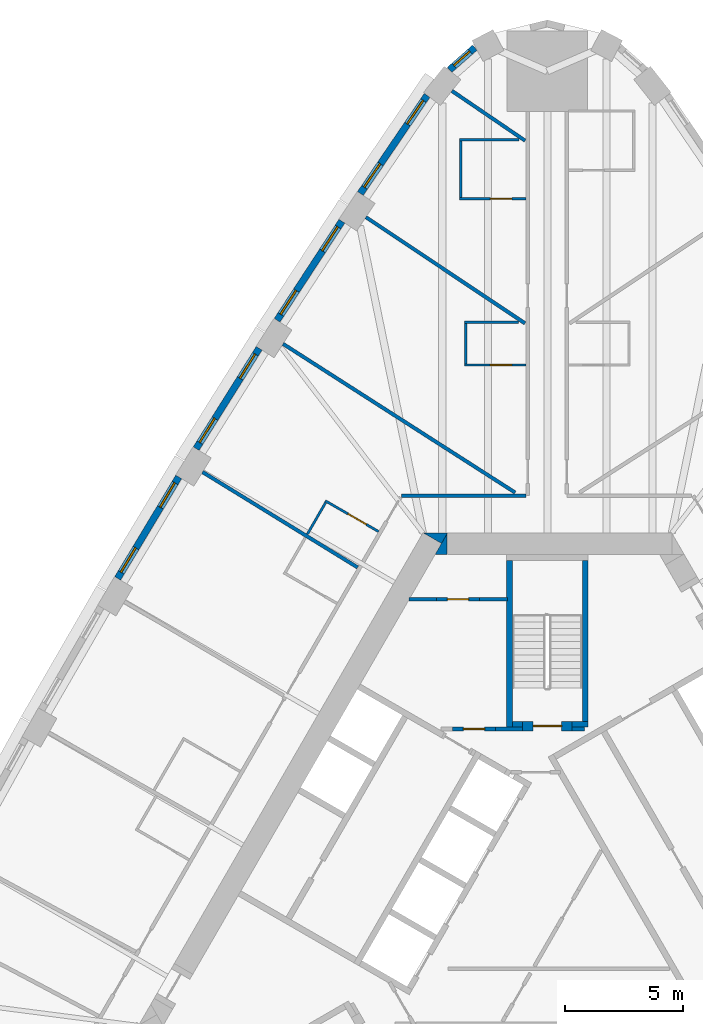
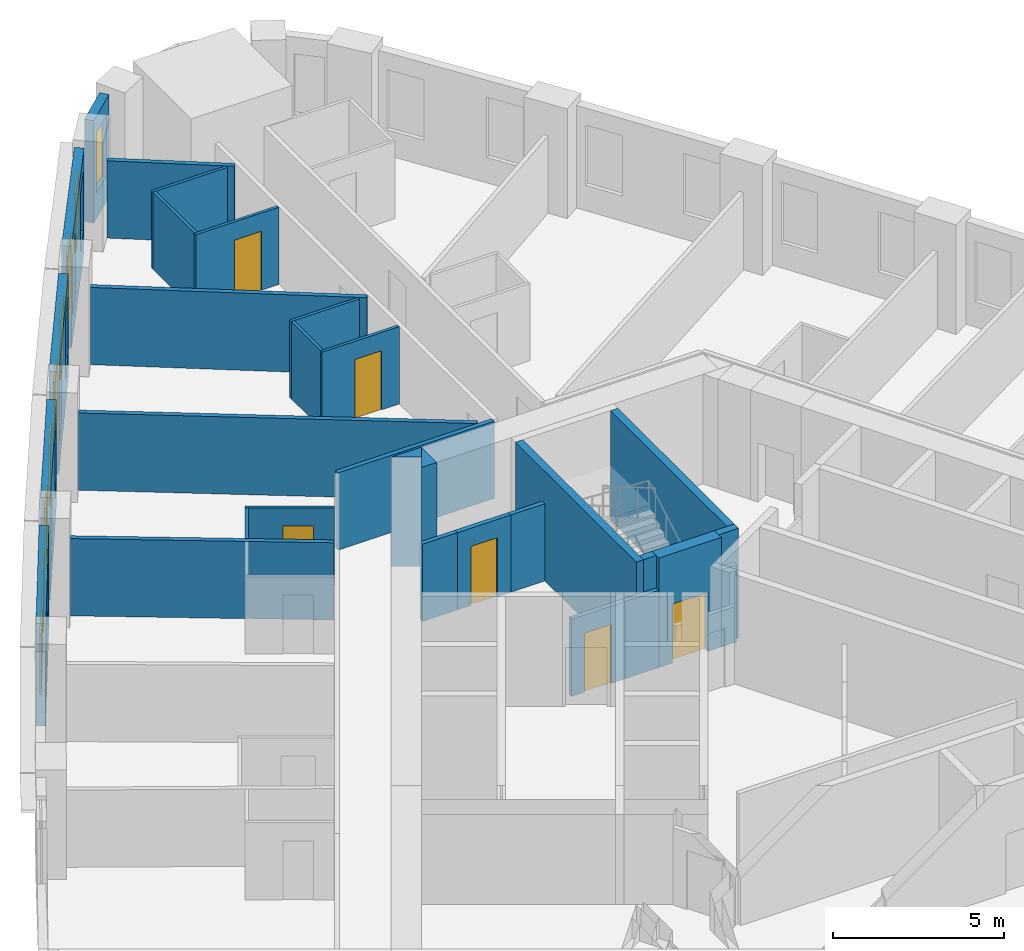
# One storey, part 10 of 13: 31 walls, 9 windows, 6 doors, 15 openings.
"""IFC4 building model written with IfcOpenShell, lengths in metres."""

import ifcopenshell
import ifcopenshell.guid

model = None  # the IFC model being written
_history = None  # IfcOwnerHistory: only IFC2X3 demands one
_inside = {}  # id of a spatial element -> (the spatial element, [elements in it])
_under = {}  # id of a project, library or spatial element -> (it, [spatial elements below it])
_declared = {}  # id of a project -> (the project, [libraries it declares])
_typed = {}  # id of a type object -> (the type object, [elements of that type])
_made_of = {}  # id of a material, layer set ... -> (it, [elements and type objects made of it])


def new_model(schema):
    """Start an empty IFC model of exactly this schema.

    Asked for "IFC4X3", IfcOpenShell would pick the latest addendum, in which some entities
    have other attributes; the version numbers below select the first issue.
    IFC2X3 requires an IfcOwnerHistory on every rooted entity: one is made here for all.
    """
    global model, _history
    if schema == "IFC4X3":
        model = ifcopenshell.file(schema_version=(4, 3, 0, 0))
    else:
        model = ifcopenshell.file(schema=schema)
    _inside.clear()
    _under.clear()
    _declared.clear()
    _typed.clear()
    _made_of.clear()
    _history = None
    if model.schema == "IFC2X3":
        org = make("IfcOrganization", Name="unknown")
        user = make(
            "IfcPersonAndOrganization",
            ThePerson=make("IfcPerson", FamilyName="unknown"),
            TheOrganization=org,
        )
        app = make(
            "IfcApplication",
            ApplicationDeveloper=org,
            Version="unknown",
            ApplicationFullName="unknown",
            ApplicationIdentifier="unknown",
        )
        _history = make(
            "IfcOwnerHistory",
            OwningUser=user,
            OwningApplication=app,
            ChangeAction="ADDED",
            CreationDate=0,
        )
    return model


def make(cls, **values):
    """One entity of the class cls with the attributes given. An attribute that is None is left unset."""
    return model.create_entity(
        cls, **{name: value for name, value in values.items() if value is not None}
    )


def rooted(cls, **values):
    """An entity with a GlobalId (a new one), such as an element, a storey or a relation."""
    return make(cls, GlobalId=ifcopenshell.guid.new(), OwnerHistory=_history, **values)


def si_unit(unit_type, name, prefix=None):
    """IfcSIUnit, for example si_unit("LENGTHUNIT", "METRE", prefix="MILLI")."""
    return make("IfcSIUnit", UnitType=unit_type, Prefix=prefix, Name=name)


def assignment(units):
    """IfcUnitAssignment: the units of a project."""
    return None if units is None else make("IfcUnitAssignment", Units=units)


def point(xyz):
    """IfcCartesianPoint."""
    return None if xyz is None else make("IfcCartesianPoint", Coordinates=xyz)


def direction(xyz):
    """IfcDirection."""
    return None if xyz is None else make("IfcDirection", DirectionRatios=xyz)


def frame(location, z_axis=None, x_axis=None):
    """IfcAxis2Placement3D, a coordinate frame: its origin and axes. An axis left out is left unset."""
    return make(
        "IfcAxis2Placement3D",
        Location=point(location),
        Axis=direction(z_axis),
        RefDirection=direction(x_axis),
    )


def frame_2d(location, x_axis=None):
    """IfcAxis2Placement2D, a coordinate frame in the plane: its origin and x axis."""
    return make(
        "IfcAxis2Placement2D", Location=point(location), RefDirection=direction(x_axis)
    )


def origin():
    """The frame at (0, 0, 0) with its axes left unset."""
    return frame((0.0, 0.0, 0.0))


def place(relative_to, where):
    """IfcLocalPlacement: puts the frame where relative to a parent placement (None: the world)."""
    return make(
        "IfcLocalPlacement", PlacementRelTo=relative_to, RelativePlacement=where
    )


def context(
    kind, dimensions, precision=None, world=None, true_north=None, identifier=None
):
    """IfcGeometricRepresentationContext, for example the 3D "Model" context."""
    return make(
        "IfcGeometricRepresentationContext",
        ContextIdentifier=identifier,
        ContextType=kind,
        CoordinateSpaceDimension=dimensions,
        Precision=precision,
        WorldCoordinateSystem=world,
        TrueNorth=true_north,
    )


def subcontext(parent, identifier, kind, view, scale=None):
    """IfcGeometricRepresentationSubContext, for example "Body" below "Model"."""
    return make(
        "IfcGeometricRepresentationSubContext",
        ContextIdentifier=identifier,
        ContextType=kind,
        ParentContext=parent,
        TargetScale=scale,
        TargetView=view,
    )


def project(units=None, contexts=None):
    """IfcProject with its units and contexts."""
    return rooted(
        "IfcProject",
        Name="project",
        RepresentationContexts=contexts,
        UnitsInContext=assignment(units),
    )


def spatial(cls, under=None, at=None, **own):
    """A site, building, storey or space (cls), placed at a placement, below another one or the project."""
    s = rooted(cls, ObjectPlacement=at, **own)
    if under is not None:
        _under.setdefault(under.id(), (under, []))[1].append(s)
    return s


def polyline(points):
    """IfcPolyline through the points."""
    return make("IfcPolyline", Points=[point(p) for p in points])


def profile(cls, at=None, kind="AREA", **sizes):
    """A parametric profile (cls). Its sizes go by their IFC names, for example OverallWidth=200.0."""
    return make(cls, ProfileType=kind, Position=at, **sizes)


def rectangle(**sizes):
    """IfcRectangleProfileDef."""
    return profile("IfcRectangleProfileDef", **sizes)


def outline(outer, holes=None, kind="AREA"):
    """IfcArbitraryClosedProfileDef: a profile drawn as a closed curve; with holes, ...WithVoids."""
    if holes is None:
        return make("IfcArbitraryClosedProfileDef", ProfileType=kind, OuterCurve=outer)
    return make(
        "IfcArbitraryProfileDefWithVoids",
        ProfileType=kind,
        OuterCurve=outer,
        InnerCurves=holes,
    )


def extrude(swept, where, along, depth):
    """IfcExtrudedAreaSolid: the profile swept, set in the frame where, extruded along a direction by depth."""
    return make(
        "IfcExtrudedAreaSolid",
        SweptArea=swept,
        Position=where,
        ExtrudedDirection=direction(along),
        Depth=depth,
    )


def shape(context_of_items, identifier, shape_type, items):
    """IfcShapeRepresentation: the items that make up one representation, for example the "Body"."""
    return make(
        "IfcShapeRepresentation",
        ContextOfItems=context_of_items,
        RepresentationIdentifier=identifier,
        RepresentationType=shape_type,
        Items=items,
    )


def material(Name=None, Category=None):
    """IfcMaterial."""
    return make("IfcMaterial", Name=Name, Category=Category)


def layer(
    of_material, thickness, ventilated=None, Name=None, Category=None, Priority=None
):
    """IfcMaterialLayer: one layer of a wall or slab, of a material (None: an air gap)."""
    return make(
        "IfcMaterialLayer",
        Material=of_material,
        LayerThickness=thickness,
        IsVentilated=ventilated,
        Name=Name,
        Category=Category,
        Priority=Priority,
    )


def layer_set(layers, Name=None):
    """IfcMaterialLayerSet."""
    return make("IfcMaterialLayerSet", MaterialLayers=layers, LayerSetName=Name)


def made_of(thing, what):
    """Note that an element or type object is made of a material, layer set ...; save() writes the relation."""
    if what is not None:
        _made_of.setdefault(what.id(), (what, []))[1].append(thing)
    return thing


def type_object(cls, material=None, **own):
    """A type object (cls), such as IfcWallType, which elements share."""
    return made_of(rooted(cls, **own), material)


def element(
    cls,
    number,
    at=None,
    inside=None,
    cuts=None,
    type_object=None,
    material=None,
    context=None,
    identifier="Body",
    shape_type=None,
    held_by="IfcProductDefinitionShape",
    body=None,
    shapes=None,
    **own,
):
    """One element of the class cls, such as IfcWall. Its Tag is "e" and its number.

    at: its placement. inside: the storey or other place that contains it. cuts: it is an
    opening in that element (IfcRelVoidsElement). A single representation is given by context,
    identifier, shape_type and body (its items); several are given by shapes. held_by: the class
    of the entity that holds the representations. save() writes the other relations.
    """
    e = rooted(cls, Tag="e%d" % number, ObjectPlacement=at, **own)
    if body is not None:
        shapes = [shape(context, identifier, shape_type, body)]
    if shapes is not None:
        e.Representation = make(held_by, Representations=shapes)
    if inside is not None:
        _inside.setdefault(inside.id(), (inside, []))[1].append(e)
    if cuts is not None:
        rooted(
            "IfcRelVoidsElement", RelatingBuildingElement=cuts, RelatedOpeningElement=e
        )
    if type_object is not None:
        _typed.setdefault(type_object.id(), (type_object, []))[1].append(e)
    return made_of(e, material)


def fill(opening, filler):
    """IfcRelFillsElement: the door or window that sits in an opening."""
    return rooted(
        "IfcRelFillsElement",
        RelatingOpeningElement=opening,
        RelatedBuildingElement=filler,
    )


def aggregate(whole, parts):
    """IfcRelAggregates: a whole, such as a stair, and the parts it consists of."""
    return rooted("IfcRelAggregates", RelatingObject=whole, RelatedObjects=parts)


def save(model, path):
    """Write the relations noted so far, then the file.

    IfcRelAggregates (storeys below a building ...), IfcRelContainedInSpatialStructure (elements
    in a storey), IfcRelDefinesByType, IfcRelAssociatesMaterial and IfcRelDeclares: one each for
    every whole, place, type object, material and project.
    """
    for whole, parts in _under.values():
        aggregate(whole, parts)
    for where, things in _inside.values():
        rooted(
            "IfcRelContainedInSpatialStructure",
            RelatedElements=things,
            RelatingStructure=where,
        )
    for kind, things in _typed.values():
        rooted("IfcRelDefinesByType", RelatedObjects=things, RelatingType=kind)
    for what, things in _made_of.values():
        rooted("IfcRelAssociatesMaterial", RelatedObjects=things, RelatingMaterial=what)
    for by, libraries in _declared.values():
        rooted("IfcRelDeclares", RelatingContext=by, RelatedDefinitions=libraries)
    model.write(path)


model = new_model("IFC4")

# Units and contexts
model_context = context("Model", 3, precision=1e-05, world=origin(), true_north=direction((0.0, 1.0)))
body_context = subcontext(model_context, "Body", "Model", "MODEL_VIEW")
ifc_project = project(units=[si_unit("LENGTHUNIT", "METRE"), si_unit("AREAUNIT", "SQUARE_METRE"), si_unit("VOLUMEUNIT", "CUBIC_METRE"), si_unit("PLANEANGLEUNIT", "RADIAN"), si_unit("MASSUNIT", "GRAM", prefix="KILO")], contexts=[model_context])

# Site, building, storey
site_placement = place(None, origin())
site = spatial("IfcSite", under=ifc_project, at=site_placement, CompositionType="ELEMENT")
building_placement = place(site_placement, origin())
building = spatial("IfcBuilding", under=site, at=building_placement, Name="Mestral Congress Tower", CompositionType="ELEMENT")
storey_placement = place(building_placement, frame((0.0, 0.0, 27.60009765625)))
storey = spatial("IfcBuildingStorey", under=building, at=storey_placement, Name="L05", CompositionType="ELEMENT", Elevation=27.60009765625)

# Walls
ifc_material_1 = material(Name="Fire-rated board partition")
ifc_layer_1 = layer(ifc_material_1, 0.14990234375)
ifc_layer_set_1 = layer_set([ifc_layer_1], Name="Fire-rated board partition")
wall_type_1 = type_object("IfcWallType", Name="Core partition 150", PredefinedType="PARTITIONING", material=ifc_layer_set_1)
wall_1_placement = place(storey_placement, frame((-2.1962890625, 8.62548828125, 0.0), z_axis=(0.0, 0.0, 1.0), x_axis=(1.0, 0.0, 0.0)))
element("IfcWall", 1, at=wall_1_placement, inside=storey, type_object=wall_type_1, Name="L05 core wall", PredefinedType="PARTITIONING", context=body_context, shape_type="SweptSolid", body=[
    extrude(rectangle(XDim=1.146240234375, YDim=0.14990234375, at=frame_2d((0.5732421875, 0.0))), origin(), (0.0, 0.0, 1.0), 2.75),
])
wall_2_placement = place(storey_placement, frame((-5.85107421875, 14.10205078125, 0.0), z_axis=(0.0, 0.0, 1.0), x_axis=(1.0, 0.0, 0.0)))
element("IfcWall", 2, at=wall_2_placement, inside=storey, type_object=wall_type_1, Name="L05 core wall", PredefinedType="PARTITIONING", context=body_context, shape_type="SweptSolid", body=[
    extrude(rectangle(XDim=1.18017578125, YDim=0.14990234375, at=frame_2d((0.590087890625, 0.0))), origin(), (0.0, 0.0, 1.0), 2.75),
])
wall_3_placement = place(storey_placement, frame((-2.87060546875, 14.10205078125, 0.0), z_axis=(0.0, 0.0, 1.0), x_axis=(1.0, 0.0, 0.0)))
element("IfcWall", 3, at=wall_3_placement, inside=storey, type_object=wall_type_1, Name="L05 core wall", PredefinedType="PARTITIONING", context=body_context, shape_type="SweptSolid", body=[
    extrude(rectangle(XDim=1.195556640625, YDim=0.14990234375, at=frame_2d((0.59765625, 0.0))), origin(), (0.0, 0.0, 1.0), 2.75),
])
wall_4_placement = place(storey_placement, frame((1.050048828125, 8.62548828125, 0.0), z_axis=(0.0, 0.0, 1.0), x_axis=(1.0, 0.0, 0.0)))
element("IfcWall", 4, at=wall_4_placement, inside=storey, type_object=wall_type_1, Name="L05 core wall", PredefinedType="PARTITIONING", context=body_context, shape_type="SweptSolid", body=[
    extrude(rectangle(XDim=0.513916015625, YDim=0.14990234375, at=frame_2d((0.2568359375, 0.0))), origin(), (0.0, 0.0, 1.0), 2.75),
])

# Wall, opening, door
wall_5_placement = place(storey_placement, frame((-2.1962890625, 8.625, 0.0), z_axis=(0.0, 0.0, 1.0), x_axis=(-1.0, 0.0, 0.0)))
wall_5 = element("IfcWall", 5, at=wall_5_placement, inside=storey, type_object=wall_type_1, Name="L05 door wall", PredefinedType="PARTITIONING", context=body_context, shape_type="SweptSolid", body=[
    extrude(rectangle(XDim=1.800048828125, YDim=0.14990234375, at=frame_2d((0.89990234375, 0.0))), origin(), (0.0, 0.0, 1.0), 2.75),
])
opening_1_placement = place(wall_5_placement, frame((0.449951171875, 0.0, 0.0)))
opening_1 = element("IfcOpeningElement", 6, at=opening_1_placement, cuts=wall_5, Name="Opening TD2", PredefinedType="OPENING", context=body_context, shape_type="SweptSolid", body=[
    extrude(rectangle(XDim=0.89990234375, YDim=2.10009765625, at=frame_2d((0.449951171875, 1.050048828125))), frame((0.0, 0.0849609375, 0.0), z_axis=(0.0, -1.0, 0.0), x_axis=(1.0, 0.0, 0.0)), (0.0, 0.0, 1.0), 0.169921875),
])
ifc_material_2 = material(Name="Fire-rated steel door set", Category="steel")
door_type_1 = type_object("IfcDoorType", Name="Core door SR 900x2100", OperationType="SINGLE_SWING_LEFT", PredefinedType="DOOR", material=ifc_material_2)
door_1_placement = place(opening_1_placement, origin())
door_1 = element("IfcDoor", 7, at=door_1_placement, inside=storey, type_object=door_type_1, Name="Door TD2", OperationType="SINGLE_SWING_LEFT", OverallHeight=2.10009765625, OverallWidth=0.89990234375, PredefinedType="DOOR", context=body_context, shape_type="SweptSolid", body=[
    extrude(rectangle(XDim=0.89990234375, YDim=2.10009765625, at=frame_2d((0.449951171875, 1.050048828125))), frame((0.0, 0.02490234375, 0.0), z_axis=(0.0, -1.0, 0.0), x_axis=(1.0, 0.0, 0.0)), (0.0, 0.0, 1.0), 0.050048828125),
])
fill(opening_1, door_1)

wall_6_placement = place(storey_placement, frame((-2.870849609375, 14.10205078125, 0.0), z_axis=(0.0, 0.0, 1.0), x_axis=(-1.0, 0.0, 0.0)))
wall_6 = element("IfcWall", 8, at=wall_6_placement, inside=storey, type_object=wall_type_1, Name="L05 door wall", PredefinedType="PARTITIONING", context=body_context, shape_type="SweptSolid", body=[
    extrude(rectangle(XDim=1.800048828125, YDim=0.14990234375, at=frame_2d((0.89990234375, 0.0))), origin(), (0.0, 0.0, 1.0), 2.75),
])
opening_2_placement = place(wall_6_placement, frame((0.449951171875, 0.0, 0.0)))
opening_2 = element("IfcOpeningElement", 9, at=opening_2_placement, cuts=wall_6, Name="Opening SD-WS2", PredefinedType="OPENING", context=body_context, shape_type="SweptSolid", body=[
    extrude(rectangle(XDim=0.89990234375, YDim=2.10009765625, at=frame_2d((0.449951171875, 1.050048828125))), frame((0.0, 0.0849609375, 0.0), z_axis=(0.0, -1.0, 0.0), x_axis=(1.0, 0.0, 0.0)), (0.0, 0.0, 1.0), 0.169921875),
])
door_2_placement = place(opening_2_placement, origin())
door_2 = element("IfcDoor", 10, at=door_2_placement, inside=storey, type_object=door_type_1, Name="Door SD-WS2", OperationType="SINGLE_SWING_LEFT", OverallHeight=2.10009765625, OverallWidth=0.89990234375, PredefinedType="DOOR", context=body_context, shape_type="SweptSolid", body=[
    extrude(rectangle(XDim=0.89990234375, YDim=2.10009765625, at=frame_2d((0.449951171875, 1.050048828125))), frame((0.0, 0.02490234375, 0.0), z_axis=(0.0, -1.0, 0.0), x_axis=(1.0, 0.0, 0.0)), (0.0, 0.0, 1.0), 0.050048828125),
])
fill(opening_2, door_2)

# Walls
ifc_material_3 = material(Name="Concrete C60/75", Category="concrete")
ifc_layer_2 = layer(ifc_material_3, 0.89990234375)
ifc_layer_set_2 = layer_set([ifc_layer_2], Name="Concrete C60/75")
wall_type_2 = type_object("IfcWallType", Name="Core wall RC 900", PredefinedType="SOLIDWALL", material=ifc_layer_set_2)
placement = place(storey_placement, origin())
element("IfcWall", 11, at=placement, inside=storey, type_object=wall_type_2, Name="L05 core wall", PredefinedType="SOLIDWALL", context=body_context, shape_type="SweptSolid", body=[
    extrude(outline(polyline([(-4.214599609375, 16.89990234375), (-4.46875, 16.460205078125), (-5.230712890625, 16.89990234375), (-4.214599609375, 16.89990234375)])), origin(), (0.0, 0.0, 1.0), 3.89990234375),
])
element("IfcWall", 12, at=placement, inside=storey, type_object=wall_type_2, Name="L05 core wall", PredefinedType="SOLIDWALL", context=body_context, shape_type="SweptSolid", body=[
    extrude(outline(polyline([(-4.734375, 16.0), (-4.226318359375, 16.8798828125), (-4.226318359375, 16.0), (-4.734375, 16.0)])), origin(), (0.0, 0.0, 1.0), 3.89990234375),
])

# Wall, opening, window
ifc_material_4 = material(Name="Precast concrete C40/50 with limestone facing", Category="masonry")
ifc_layer_3 = layer(ifc_material_4, 0.2900390625)
ifc_layer_set_3 = layer_set([ifc_layer_3], Name="Precast concrete C40/50 with limestone facing")
wall_type_3 = type_object("IfcWallType", Name="Facade stone wall 290", PredefinedType="SOLIDWALL", material=ifc_layer_set_3)
wall_9_placement = place(storey_placement, frame((-3.064453125, 37.395263671875, 0.0), z_axis=(0.0, 0.0, 1.0), x_axis=(-0.749812680302, -0.661650167731, 0.0)))
wall_9 = element("IfcWall", 13, at=wall_9_placement, inside=storey, type_object=wall_type_3, Name="Facade wall K1-3", PredefinedType="SOLIDWALL", context=body_context, shape_type="SweptSolid", body=[
    extrude(rectangle(XDim=1.4150390625, YDim=0.2900390625, at=frame_2d((0.70751953125, 0.0))), origin(), (0.0, 0.0, 1.0), 3.64990234375),
])
opening_3_placement = place(wall_9_placement, frame((0.257568359375, 0.0, 0.89990234375)))
opening_3 = element("IfcOpeningElement", 14, at=opening_3_placement, cuts=wall_9, Name="Opening W3", PredefinedType="OPENING", context=body_context, shape_type="SweptSolid", body=[
    extrude(rectangle(XDim=0.89990234375, YDim=2.14990234375, at=frame_2d((0.449951171875, 1.074951171875))), frame((0.0, 0.155029296875, 0.0), z_axis=(0.0, -1.0, 0.0), x_axis=(1.0, 0.0, 0.0)), (0.0, 0.0, 1.0), 0.31005859375),
])
ifc_material_5 = material(Name="Clear low-emissivity double glazing", Category="glass")
window_type_1 = type_object("IfcWindowType", Name="Facade punched window 900 x 2150 sill 900", PartitioningType="SINGLE_PANEL", PredefinedType="WINDOW", material=ifc_material_5)
window_1_placement = place(opening_3_placement, origin())
window_1 = element("IfcWindow", 15, at=window_1_placement, inside=storey, type_object=window_type_1, Name="Window K1-3", OverallHeight=2.14990234375, OverallWidth=0.89990234375, PartitioningType="SINGLE_PANEL", PredefinedType="WINDOW", context=body_context, shape_type="SweptSolid", body=[
    extrude(rectangle(XDim=0.89990234375, YDim=2.14990234375, at=frame_2d((0.449951171875, 1.074951171875))), frame((0.0, 0.01513671875, 0.0), z_axis=(0.0, -1.0, 0.0), x_axis=(1.0, 0.0, 0.0)), (0.0, 0.0, 1.0), 0.06005859375),
])
fill(opening_3, window_1)

# Wall, openings, windows
wall_10_placement = place(storey_placement, frame((-5.078369140625, 35.37646484375, 0.0), z_axis=(0.0, 0.0, 1.0), x_axis=(-0.562610153679, -0.826722332454, 0.0)))
wall_10 = element("IfcWall", 16, at=wall_10_placement, inside=storey, type_object=wall_type_3, Name="Facade wall F2-00", PredefinedType="SOLIDWALL", context=body_context, shape_type="SweptSolid", body=[
    extrude(rectangle(XDim=5.005615234375, YDim=0.2900390625, at=frame_2d((2.5029296875, 0.0))), origin(), (0.0, 0.0, 1.0), 3.64990234375),
])
opening_4_placement = place(wall_10_placement, frame((0.26513671875, 0.0, 0.89990234375)))
opening_4 = element("IfcOpeningElement", 17, at=opening_4_placement, cuts=wall_10, Name="Opening W1", PredefinedType="OPENING", context=body_context, shape_type="SweptSolid", body=[
    extrude(rectangle(XDim=1.199951171875, YDim=2.14990234375, at=frame_2d((0.60009765625, 1.074951171875))), frame((0.0, 0.155029296875, 0.0), z_axis=(0.0, -1.0, 0.0), x_axis=(1.0, 0.0, 0.0)), (0.0, 0.0, 1.0), 0.31005859375),
])
opening_5_placement = place(wall_10_placement, frame((3.495361328125, 0.0, 0.89990234375)))
opening_5 = element("IfcOpeningElement", 18, at=opening_5_placement, cuts=wall_10, Name="Opening W1", PredefinedType="OPENING", context=body_context, shape_type="SweptSolid", body=[
    extrude(rectangle(XDim=1.199951171875, YDim=2.14990234375, at=frame_2d((0.60009765625, 1.074951171875))), frame((0.0, 0.155029296875, 0.0), z_axis=(0.0, -1.0, 0.0), x_axis=(1.0, 0.0, 0.0)), (0.0, 0.0, 1.0), 0.31005859375),
])
window_type_2 = type_object("IfcWindowType", Name="Facade punched window 1200 x 2150 sill 900", PartitioningType="DOUBLE_PANEL_VERTICAL", PredefinedType="WINDOW", material=ifc_material_5)
window_2_placement = place(opening_4_placement, origin())
window_2 = element("IfcWindow", 19, at=window_2_placement, inside=storey, type_object=window_type_2, Name="Window F2-00a", OverallHeight=2.14990234375, OverallWidth=1.199951171875, PartitioningType="DOUBLE_PANEL_VERTICAL", PredefinedType="WINDOW", context=body_context, shape_type="SweptSolid", body=[
    extrude(rectangle(XDim=1.199951171875, YDim=2.14990234375, at=frame_2d((0.60009765625, 1.074951171875))), frame((0.0, 0.01513671875, 0.0), z_axis=(0.0, -1.0, 0.0), x_axis=(1.0, 0.0, 0.0)), (0.0, 0.0, 1.0), 0.06005859375),
])
fill(opening_4, window_2)
window_3_placement = place(opening_5_placement, origin())
window_3 = element("IfcWindow", 20, at=window_3_placement, inside=storey, type_object=window_type_2, Name="Window F2-00b", OverallHeight=2.14990234375, OverallWidth=1.199951171875, PartitioningType="DOUBLE_PANEL_VERTICAL", PredefinedType="WINDOW", context=body_context, shape_type="SweptSolid", body=[
    extrude(rectangle(XDim=1.199951171875, YDim=2.14990234375, at=frame_2d((0.60009765625, 1.074951171875))), frame((0.0, 0.01513671875, 0.0), z_axis=(0.0, -1.0, 0.0), x_axis=(1.0, 0.0, 0.0)), (0.0, 0.0, 1.0), 0.06005859375),
])
fill(opening_5, window_3)

wall_11_placement = place(storey_placement, frame((-8.675537109375, 30.067626953125, 0.0), z_axis=(0.0, 0.0, 1.0), x_axis=(-0.547204617628, -0.836998868845, 0.0)))
wall_11 = element("IfcWall", 21, at=wall_11_placement, inside=storey, type_object=wall_type_3, Name="Facade wall F2-01", PredefinedType="SOLIDWALL", context=body_context, shape_type="SweptSolid", body=[
    extrude(rectangle(XDim=4.998291015625, YDim=0.2900390625, at=frame_2d((2.4990234375, 0.0))), origin(), (0.0, 0.0, 1.0), 3.64990234375),
])
opening_6_placement = place(wall_11_placement, frame((0.297119140625, 0.0, 0.89990234375)))
opening_6 = element("IfcOpeningElement", 22, at=opening_6_placement, cuts=wall_11, Name="Opening W1", PredefinedType="OPENING", context=body_context, shape_type="SweptSolid", body=[
    extrude(rectangle(XDim=1.199951171875, YDim=2.14990234375, at=frame_2d((0.60009765625, 1.074951171875))), frame((0.0, 0.155029296875, 0.0), z_axis=(0.0, -1.0, 0.0), x_axis=(1.0, 0.0, 0.0)), (0.0, 0.0, 1.0), 0.31005859375),
])
opening_7_placement = place(wall_11_placement, frame((3.501220703125, 0.0, 0.89990234375)))
opening_7 = element("IfcOpeningElement", 23, at=opening_7_placement, cuts=wall_11, Name="Opening W1", PredefinedType="OPENING", context=body_context, shape_type="SweptSolid", body=[
    extrude(rectangle(XDim=1.199951171875, YDim=2.14990234375, at=frame_2d((0.60009765625, 1.074951171875))), frame((0.0, 0.155029296875, 0.0), z_axis=(0.0, -1.0, 0.0), x_axis=(1.0, 0.0, 0.0)), (0.0, 0.0, 1.0), 0.31005859375),
])
window_4_placement = place(opening_6_placement, origin())
window_4 = element("IfcWindow", 24, at=window_4_placement, inside=storey, type_object=window_type_2, Name="Window F2-01a", OverallHeight=2.14990234375, OverallWidth=1.199951171875, PartitioningType="DOUBLE_PANEL_VERTICAL", PredefinedType="WINDOW", context=body_context, shape_type="SweptSolid", body=[
    extrude(rectangle(XDim=1.199951171875, YDim=2.14990234375, at=frame_2d((0.60009765625, 1.074951171875))), frame((0.0, 0.01513671875, 0.0), z_axis=(0.0, -1.0, 0.0), x_axis=(1.0, 0.0, 0.0)), (0.0, 0.0, 1.0), 0.06005859375),
])
fill(opening_6, window_4)
window_5_placement = place(opening_7_placement, origin())
window_5 = element("IfcWindow", 25, at=window_5_placement, inside=storey, type_object=window_type_2, Name="Window F2-01b", OverallHeight=2.14990234375, OverallWidth=1.199951171875, PartitioningType="DOUBLE_PANEL_VERTICAL", PredefinedType="WINDOW", context=body_context, shape_type="SweptSolid", body=[
    extrude(rectangle(XDim=1.199951171875, YDim=2.14990234375, at=frame_2d((0.60009765625, 1.074951171875))), frame((0.0, 0.01513671875, 0.0), z_axis=(0.0, -1.0, 0.0), x_axis=(1.0, 0.0, 0.0)), (0.0, 0.0, 1.0), 0.06005859375),
])
fill(opening_7, window_5)

wall_12_placement = place(storey_placement, frame((-12.169921875, 24.69921875, 0.0), z_axis=(0.0, 0.0, 1.0), x_axis=(-0.531688286542, -0.846940119462, 0.0)))
wall_12 = element("IfcWall", 26, at=wall_12_placement, inside=storey, type_object=wall_type_3, Name="Facade wall F2-02", PredefinedType="SOLIDWALL", context=body_context, shape_type="SweptSolid", body=[
    extrude(rectangle(XDim=4.998291015625, YDim=0.2900390625, at=frame_2d((2.4990234375, 0.0))), origin(), (0.0, 0.0, 1.0), 3.64990234375),
])
opening_8_placement = place(wall_12_placement, frame((0.297119140625, 0.0, 0.89990234375)))
opening_8 = element("IfcOpeningElement", 27, at=opening_8_placement, cuts=wall_12, Name="Opening W1", PredefinedType="OPENING", context=body_context, shape_type="SweptSolid", body=[
    extrude(rectangle(XDim=1.199951171875, YDim=2.14990234375, at=frame_2d((0.60009765625, 1.074951171875))), frame((0.0, 0.155029296875, 0.0), z_axis=(0.0, -1.0, 0.0), x_axis=(1.0, 0.0, 0.0)), (0.0, 0.0, 1.0), 0.31005859375),
])
opening_9_placement = place(wall_12_placement, frame((3.501220703125, 0.0, 0.89990234375)))
opening_9 = element("IfcOpeningElement", 28, at=opening_9_placement, cuts=wall_12, Name="Opening W1", PredefinedType="OPENING", context=body_context, shape_type="SweptSolid", body=[
    extrude(rectangle(XDim=1.199951171875, YDim=2.14990234375, at=frame_2d((0.60009765625, 1.074951171875))), frame((0.0, 0.155029296875, 0.0), z_axis=(0.0, -1.0, 0.0), x_axis=(1.0, 0.0, 0.0)), (0.0, 0.0, 1.0), 0.31005859375),
])
window_6_placement = place(opening_8_placement, origin())
window_6 = element("IfcWindow", 29, at=window_6_placement, inside=storey, type_object=window_type_2, Name="Window F2-02a", OverallHeight=2.14990234375, OverallWidth=1.199951171875, PartitioningType="DOUBLE_PANEL_VERTICAL", PredefinedType="WINDOW", context=body_context, shape_type="SweptSolid", body=[
    extrude(rectangle(XDim=1.199951171875, YDim=2.14990234375, at=frame_2d((0.60009765625, 1.074951171875))), frame((0.0, 0.01513671875, 0.0), z_axis=(0.0, -1.0, 0.0), x_axis=(1.0, 0.0, 0.0)), (0.0, 0.0, 1.0), 0.06005859375),
])
fill(opening_8, window_6)
window_7_placement = place(opening_9_placement, origin())
window_7 = element("IfcWindow", 30, at=window_7_placement, inside=storey, type_object=window_type_2, Name="Window F2-02b", OverallHeight=2.14990234375, OverallWidth=1.199951171875, PartitioningType="DOUBLE_PANEL_VERTICAL", PredefinedType="WINDOW", context=body_context, shape_type="SweptSolid", body=[
    extrude(rectangle(XDim=1.199951171875, YDim=2.14990234375, at=frame_2d((0.60009765625, 1.074951171875))), frame((0.0, 0.01513671875, 0.0), z_axis=(0.0, -1.0, 0.0), x_axis=(1.0, 0.0, 0.0)), (0.0, 0.0, 1.0), 0.06005859375),
])
fill(opening_9, window_7)

wall_13_placement = place(storey_placement, frame((-15.564453125, 19.267333984375, 0.0), z_axis=(0.0, 0.0, 1.0), x_axis=(-0.515938796285, -0.856625448191, 0.0)))
wall_13 = element("IfcWall", 31, at=wall_13_placement, inside=storey, type_object=wall_type_3, Name="Facade wall F2-03", PredefinedType="SOLIDWALL", context=body_context, shape_type="SweptSolid", body=[
    extrude(rectangle(XDim=4.998291015625, YDim=0.2900390625, at=frame_2d((2.4990234375, 0.0))), origin(), (0.0, 0.0, 1.0), 3.64990234375),
])
opening_10_placement = place(wall_13_placement, frame((0.297119140625, 0.0, 0.89990234375)))
opening_10 = element("IfcOpeningElement", 32, at=opening_10_placement, cuts=wall_13, Name="Opening W1", PredefinedType="OPENING", context=body_context, shape_type="SweptSolid", body=[
    extrude(rectangle(XDim=1.199951171875, YDim=2.14990234375, at=frame_2d((0.60009765625, 1.074951171875))), frame((0.0, 0.155029296875, 0.0), z_axis=(0.0, -1.0, 0.0), x_axis=(1.0, 0.0, 0.0)), (0.0, 0.0, 1.0), 0.31005859375),
])
opening_11_placement = place(wall_13_placement, frame((3.501220703125, 0.0, 0.89990234375)))
opening_11 = element("IfcOpeningElement", 33, at=opening_11_placement, cuts=wall_13, Name="Opening W1", PredefinedType="OPENING", context=body_context, shape_type="SweptSolid", body=[
    extrude(rectangle(XDim=1.199951171875, YDim=2.14990234375, at=frame_2d((0.60009765625, 1.074951171875))), frame((0.0, 0.155029296875, 0.0), z_axis=(0.0, -1.0, 0.0), x_axis=(1.0, 0.0, 0.0)), (0.0, 0.0, 1.0), 0.31005859375),
])
window_8_placement = place(opening_10_placement, origin())
window_8 = element("IfcWindow", 34, at=window_8_placement, inside=storey, type_object=window_type_2, Name="Window F2-03a", OverallHeight=2.14990234375, OverallWidth=1.199951171875, PartitioningType="DOUBLE_PANEL_VERTICAL", PredefinedType="WINDOW", context=body_context, shape_type="SweptSolid", body=[
    extrude(rectangle(XDim=1.199951171875, YDim=2.14990234375, at=frame_2d((0.60009765625, 1.074951171875))), frame((0.0, 0.01513671875, 0.0), z_axis=(0.0, -1.0, 0.0), x_axis=(1.0, 0.0, 0.0)), (0.0, 0.0, 1.0), 0.06005859375),
])
fill(opening_10, window_8)
window_9_placement = place(opening_11_placement, origin())
window_9 = element("IfcWindow", 35, at=window_9_placement, inside=storey, type_object=window_type_2, Name="Window F2-03b", OverallHeight=2.14990234375, OverallWidth=1.199951171875, PartitioningType="DOUBLE_PANEL_VERTICAL", PredefinedType="WINDOW", context=body_context, shape_type="SweptSolid", body=[
    extrude(rectangle(XDim=1.199951171875, YDim=2.14990234375, at=frame_2d((0.60009765625, 1.074951171875))), frame((0.0, 0.01513671875, 0.0), z_axis=(0.0, -1.0, 0.0), x_axis=(1.0, 0.0, 0.0)), (0.0, 0.0, 1.0), 0.06005859375),
])
fill(opening_11, window_9)

# Wall, opening, door
ifc_material_6 = material(Name="Gypsum board partition on metal studs with mineral wool", Category="composite")
ifc_layer_4 = layer(ifc_material_6, 0.10009765625)
ifc_layer_set_4 = layer_set([ifc_layer_4], Name="Gypsum board partition on metal studs with mineral wool")
wall_type_4 = type_object("IfcWallType", Name="Hotel partition wall 100", PredefinedType="PARTITIONING", material=ifc_layer_set_4)
wall_14_placement = place(storey_placement, frame((-3.699951171875, 31.008544921875, 0.0), z_axis=(0.0, 0.0, 1.0), x_axis=(1.0, 0.0, 0.0)))
wall_14 = element("IfcWall", 36, at=wall_14_placement, inside=storey, type_object=wall_type_4, Name="L05-h-pod21a", PredefinedType="PARTITIONING", context=body_context, shape_type="SweptSolid", body=[
    extrude(rectangle(XDim=2.800048828125, YDim=0.10009765625, at=frame_2d((1.39990234375, 0.0))), origin(), (0.0, 0.0, 1.0), 2.75),
])
opening_12_placement = place(wall_14_placement, frame((1.300048828125, 0.0, 0.0)))
opening_12 = element("IfcOpeningElement", 37, at=opening_12_placement, cuts=wall_14, Name="Opening H01-040", PredefinedType="OPENING", context=body_context, shape_type="SweptSolid", body=[
    extrude(rectangle(XDim=0.89990234375, YDim=2.10009765625, at=frame_2d((0.449951171875, 1.050048828125))), frame((0.0, 0.06005859375, 0.0), z_axis=(0.0, -1.0, 0.0), x_axis=(1.0, 0.0, 0.0)), (0.0, 0.0, 1.0), 0.1201171875),
])
ifc_material_7 = material(Name="Timber veneer door leaf in timber frame", Category="wood")
door_type_2 = type_object("IfcDoorType", Name="Bathroom door 900", OperationType="SINGLE_SWING_LEFT", PredefinedType="DOOR", material=ifc_material_7)
door_3_placement = place(opening_12_placement, origin())
door_3 = element("IfcDoor", 38, at=door_3_placement, inside=storey, type_object=door_type_2, Name="L05-h-d040", OperationType="SINGLE_SWING_RIGHT", OverallHeight=2.10009765625, OverallWidth=0.89990234375, PredefinedType="DOOR", context=body_context, shape_type="SweptSolid", body=[
    extrude(rectangle(XDim=0.89990234375, YDim=2.10009765625, at=frame_2d((0.449951171875, 1.050048828125))), frame((0.0, 0.02490234375, 0.0), z_axis=(0.0, -1.0, 0.0), x_axis=(1.0, 0.0, 0.0)), (0.0, 0.0, 1.0), 0.050048828125),
])
fill(opening_12, door_3)

# Walls
wall_15_placement = place(storey_placement, frame((-3.64990234375, 31.05859375, 0.0), z_axis=(0.0, 0.0, 1.0), x_axis=(0.0, 1.0, 0.0)))
element("IfcWall", 39, at=wall_15_placement, inside=storey, type_object=wall_type_4, Name="L05-h-pod21b", PredefinedType="PARTITIONING", context=body_context, shape_type="SweptSolid", body=[
    extrude(rectangle(XDim=2.39990234375, YDim=0.10009765625, at=frame_2d((1.199951171875, 0.0))), origin(), (0.0, 0.0, 1.0), 2.75),
])
wall_16_placement = place(storey_placement, frame((-1.199951171875, 33.508544921875, 0.0), z_axis=(0.0, 0.0, 1.0), x_axis=(-1.0, 0.0, 0.0)))
element("IfcWall", 40, at=wall_16_placement, inside=storey, type_object=wall_type_4, Name="L05-h-pod21c", PredefinedType="PARTITIONING", context=body_context, shape_type="SweptSolid", body=[
    extrude(rectangle(XDim=2.5, YDim=0.10009765625, at=frame_2d((1.25, 0.0))), origin(), (0.0, 0.0, 1.0), 2.75),
])

# Wall, opening, door
wall_17_placement = place(storey_placement, frame((-3.5, 23.99462890625, 0.0), z_axis=(0.0, 0.0, 1.0), x_axis=(1.0, 0.0, 0.0)))
wall_17 = element("IfcWall", 41, at=wall_17_placement, inside=storey, type_object=wall_type_4, Name="L05-h-pod22a", PredefinedType="PARTITIONING", context=body_context, shape_type="SweptSolid", body=[
    extrude(rectangle(XDim=2.60009765625, YDim=0.10009765625, at=frame_2d((1.300048828125, 0.0))), origin(), (0.0, 0.0, 1.0), 2.75),
])
opening_13_placement = place(wall_17_placement, frame((1.10009765625, 0.0, 0.0)))
opening_13 = element("IfcOpeningElement", 42, at=opening_13_placement, cuts=wall_17, Name="Opening H01-042", PredefinedType="OPENING", context=body_context, shape_type="SweptSolid", body=[
    extrude(rectangle(XDim=0.89990234375, YDim=2.10009765625, at=frame_2d((0.449951171875, 1.050048828125))), frame((0.0, 0.06005859375, 0.0), z_axis=(0.0, -1.0, 0.0), x_axis=(1.0, 0.0, 0.0)), (0.0, 0.0, 1.0), 0.1201171875),
])
door_4_placement = place(opening_13_placement, origin())
door_4 = element("IfcDoor", 43, at=door_4_placement, inside=storey, type_object=door_type_2, Name="L05-h-d042", OperationType="SINGLE_SWING_LEFT", OverallHeight=2.10009765625, OverallWidth=0.89990234375, PredefinedType="DOOR", context=body_context, shape_type="SweptSolid", body=[
    extrude(rectangle(XDim=0.89990234375, YDim=2.10009765625, at=frame_2d((0.449951171875, 1.050048828125))), frame((0.0, 0.02490234375, 0.0), z_axis=(0.0, -1.0, 0.0), x_axis=(1.0, 0.0, 0.0)), (0.0, 0.0, 1.0), 0.050048828125),
])
fill(opening_13, door_4)

# Walls
wall_18_placement = place(storey_placement, frame((-3.449951171875, 24.044677734375, 0.0), z_axis=(0.0, 0.0, 1.0), x_axis=(0.0, 1.0, 0.0)))
element("IfcWall", 44, at=wall_18_placement, inside=storey, type_object=wall_type_4, Name="L05-h-pod22b", PredefinedType="PARTITIONING", context=body_context, shape_type="SweptSolid", body=[
    extrude(rectangle(XDim=1.699951171875, YDim=0.10009765625, at=frame_2d((0.85009765625, 0.0))), origin(), (0.0, 0.0, 1.0), 2.75),
])
wall_19_placement = place(storey_placement, frame((-1.2099609375, 25.794677734375, 0.0), z_axis=(0.0, 0.0, 1.0), x_axis=(-1.0, 0.0, 0.0)))
element("IfcWall", 45, at=wall_19_placement, inside=storey, type_object=wall_type_4, Name="L05-h-pod22c", PredefinedType="PARTITIONING", context=body_context, shape_type="SweptSolid", body=[
    extrude(rectangle(XDim=2.2900390625, YDim=0.10009765625, at=frame_2d((1.14501953125, 0.0))), origin(), (0.0, 0.0, 1.0), 2.75),
])

# Wall, opening, door
wall_20_placement = place(storey_placement, frame((-7.123779296875, 16.961181640625, 0.0), z_axis=(0.0, 0.0, 1.0), x_axis=(-0.866021400173, 0.500006934395, 0.0)))
wall_20 = element("IfcWall", 46, at=wall_20_placement, inside=storey, type_object=wall_type_4, Name="L05-h-pod23a", PredefinedType="PARTITIONING", context=body_context, shape_type="SweptSolid", body=[
    extrude(rectangle(XDim=2.60009765625, YDim=0.10009765625, at=frame_2d((1.300048828125, 0.0))), origin(), (0.0, 0.0, 1.0), 2.75),
])
opening_14_placement = place(wall_20_placement, frame((0.60009765625, 0.0, 0.0)))
opening_14 = element("IfcOpeningElement", 47, at=opening_14_placement, cuts=wall_20, Name="Opening H01-044", PredefinedType="OPENING", context=body_context, shape_type="SweptSolid", body=[
    extrude(rectangle(XDim=0.89990234375, YDim=2.10009765625, at=frame_2d((0.449951171875, 1.050048828125))), frame((0.0, 0.06005859375, 0.0), z_axis=(0.0, -1.0, 0.0), x_axis=(1.0, 0.0, 0.0)), (0.0, 0.0, 1.0), 0.1201171875),
])
door_5_placement = place(opening_14_placement, origin())
door_5 = element("IfcDoor", 48, at=door_5_placement, inside=storey, type_object=door_type_2, Name="L05-h-d044", OperationType="SINGLE_SWING_LEFT", OverallHeight=2.10009765625, OverallWidth=0.89990234375, PredefinedType="DOOR", context=body_context, shape_type="SweptSolid", body=[
    extrude(rectangle(XDim=0.89990234375, YDim=2.10009765625, at=frame_2d((0.449951171875, 1.050048828125))), frame((0.0, 0.02490234375, 0.0), z_axis=(0.0, -1.0, 0.0), x_axis=(1.0, 0.0, 0.0)), (0.0, 0.0, 1.0), 0.050048828125),
])
fill(opening_14, door_5)

# Walls
wall_21_placement = place(storey_placement, frame((-9.362060546875, 18.184326171875, 0.0), z_axis=(0.0, 0.0, 1.0), x_axis=(-0.499992328818, -0.866029832698, 0.0)))
element("IfcWall", 49, at=wall_21_placement, inside=storey, type_object=wall_type_4, Name="L05-h-pod23b", PredefinedType="PARTITIONING", context=body_context, shape_type="SweptSolid", body=[
    extrude(rectangle(XDim=1.5400390625, YDim=0.10009765625, at=frame_2d((0.77001953125, 0.0))), origin(), (0.0, 0.0, 1.0), 2.75),
])
ifc_layer_5 = layer(ifc_material_6, 0.14990234375)
ifc_layer_set_5 = layer_set([ifc_layer_5], Name="Gypsum board partition on metal studs with mineral wool")
wall_type_5 = type_object("IfcWallType", Name="Hotel partition wall 150", PredefinedType="PARTITIONING", material=ifc_layer_set_5)
wall_22_placement = place(storey_placement, frame((-6.1630859375, 18.47509765625, 0.0), z_axis=(0.0, 0.0, 1.0), x_axis=(1.0, 0.0, 0.0)))
element("IfcWall", 50, at=wall_22_placement, inside=storey, type_object=wall_type_5, Name="L05-h-cw07", PredefinedType="PARTITIONING", context=body_context, shape_type="SweptSolid", body=[
    extrude(rectangle(XDim=5.258056640625, YDim=0.14990234375, at=frame_2d((2.62890625, 0.0))), origin(), (0.0, 0.0, 1.0), 2.75),
])
wall_23_placement = place(storey_placement, frame((-14.55810546875, 19.474609375, 0.0), z_axis=(0.0, 0.0, 1.0), x_axis=(0.851829455142, -0.523819223925, 0.0)))
element("IfcWall", 51, at=wall_23_placement, inside=storey, type_object=wall_type_5, Name="L05-h-pw11", PredefinedType="PARTITIONING", context=body_context, shape_type="SweptSolid", body=[
    extrude(rectangle(XDim=7.68798828125, YDim=0.14990234375, at=frame_2d((3.843994140625, 0.0))), origin(), (0.0, 0.0, 1.0), 2.75),
])
wall_24_placement = place(storey_placement, frame((-11.16015625, 24.887939453125, 0.0), z_axis=(0.0, 0.0, 1.0), x_axis=(0.84199813156, -0.539480441211, 0.0)))
element("IfcWall", 52, at=wall_24_placement, inside=storey, type_object=wall_type_5, Name="L05-h-pw13", PredefinedType="PARTITIONING", context=body_context, shape_type="SweptSolid", body=[
    extrude(rectangle(XDim=11.63818359375, YDim=0.14990234375, at=frame_2d((5.819091796875, 0.0))), origin(), (0.0, 0.0, 1.0), 2.75),
])
wall_25_placement = place(storey_placement, frame((-7.662353515625, 30.237548828125, 0.0), z_axis=(0.0, 0.0, 1.0), x_axis=(0.831882886825, -0.554951225431, 0.0)))
element("IfcWall", 53, at=wall_25_placement, inside=storey, type_object=wall_type_5, Name="L05-h-pw14", PredefinedType="PARTITIONING", context=body_context, shape_type="SweptSolid", body=[
    extrude(rectangle(XDim=8.078857421875, YDim=0.14990234375, at=frame_2d((4.03955078125, 0.0))), origin(), (0.0, 0.0, 1.0), 2.75),
])
wall_26_placement = place(storey_placement, frame((-4.02783203125, 35.56884765625, 0.0), z_axis=(0.0, 0.0, 1.0), x_axis=(0.826730622998, -0.562597971021, 0.0)))
element("IfcWall", 54, at=wall_26_placement, inside=storey, type_object=wall_type_5, Name="L05-h-pw15", PredefinedType="PARTITIONING", context=body_context, shape_type="SweptSolid", body=[
    extrude(rectangle(XDim=3.7333984375, YDim=0.14990234375, at=frame_2d((1.86669921875, 0.0))), origin(), (0.0, 0.0, 1.0), 2.75),
])
ifc_layer_6 = layer(ifc_material_3, 0.25)
ifc_layer_set_6 = layer_set([ifc_layer_6], Name="Concrete C60/75")
wall_type_6 = type_object("IfcWallType", Name="Stair wall RC 250", PredefinedType="SOLIDWALL", material=ifc_layer_set_6)
wall_27_placement = place(storey_placement, frame((1.60009765625, 8.949951171875, 0.0), z_axis=(0.0, 0.0, 1.0), x_axis=(0.0, 1.0, 0.0)))
element("IfcWall", 55, at=wall_27_placement, inside=storey, type_object=wall_type_6, Name="L05 core wall", PredefinedType="SOLIDWALL", context=body_context, shape_type="SweptSolid", body=[
    extrude(rectangle(XDim=6.800048828125, YDim=0.25, at=frame_2d((3.39990234375, 0.0))), origin(), (0.0, 0.0, 1.0), 3.89990234375),
])
wall_28_placement = place(storey_placement, frame((1.050048828125, 8.824951171875, 0.0), z_axis=(0.0, 0.0, 1.0), x_axis=(1.0, 0.0, 0.0)))
element("IfcWall", 56, at=wall_28_placement, inside=storey, type_object=wall_type_6, Name="L05 core wall", PredefinedType="SOLIDWALL", context=body_context, shape_type="SweptSolid", body=[
    extrude(rectangle(XDim=0.675048828125, YDim=0.25, at=frame_2d((0.33740234375, 0.0))), origin(), (0.0, 0.0, 1.0), 3.89990234375),
])
wall_29_placement = place(storey_placement, frame((-1.60009765625, 8.699951171875, 0.0), z_axis=(0.0, 0.0, 1.0), x_axis=(0.0, 1.0, 0.0)))
element("IfcWall", 57, at=wall_29_placement, inside=storey, type_object=wall_type_6, Name="L05 core wall", PredefinedType="SOLIDWALL", context=body_context, shape_type="SweptSolid", body=[
    extrude(rectangle(XDim=7.050048828125, YDim=0.25, at=frame_2d((3.52490234375, 0.0))), origin(), (0.0, 0.0, 1.0), 3.89990234375),
])
wall_30_placement = place(storey_placement, frame((-1.47509765625, 8.824951171875, 0.0), z_axis=(0.0, 0.0, 1.0), x_axis=(1.0, 0.0, 0.0)))
element("IfcWall", 58, at=wall_30_placement, inside=storey, type_object=wall_type_6, Name="L05 core wall", PredefinedType="SOLIDWALL", context=body_context, shape_type="SweptSolid", body=[
    extrude(rectangle(XDim=0.425048828125, YDim=0.25, at=frame_2d((0.21240234375, 0.0))), origin(), (0.0, 0.0, 1.0), 3.89990234375),
])

# Wall, opening, door
ifc_layer_7 = layer(ifc_material_3, 0.39990234375)
ifc_layer_set_7 = layer_set([ifc_layer_7], Name="Concrete C60/75")
wall_type_7 = type_object("IfcWallType", Name="Stair wall RC 250 door-wall 400", PredefinedType="SOLIDWALL", material=ifc_layer_set_7)
wall_31_placement = place(storey_placement, frame((1.050048828125, 8.75, 0.0), z_axis=(0.0, 0.0, 1.0), x_axis=(-1.0, 0.0, 0.0)))
wall_31 = element("IfcWall", 59, at=wall_31_placement, inside=storey, type_object=wall_type_7, Name="L05 door wall", PredefinedType="SOLIDWALL", context=body_context, shape_type="SweptSolid", body=[
    extrude(rectangle(XDim=2.10009765625, YDim=0.39990234375, at=frame_2d((1.050048828125, 0.0))), origin(), (0.0, 0.0, 1.0), 3.89990234375),
])
opening_15_placement = place(wall_31_placement, frame((0.449951171875, 0.0, 0.0)))
opening_15 = element("IfcOpeningElement", 60, at=opening_15_placement, cuts=wall_31, Name="Opening ST-D2", PredefinedType="OPENING", context=body_context, shape_type="SweptSolid", body=[
    extrude(rectangle(XDim=1.199951171875, YDim=2.10009765625, at=frame_2d((0.60009765625, 1.050048828125))), frame((0.0, 0.2099609375, 0.0), z_axis=(0.0, -1.0, 0.0), x_axis=(1.0, 0.0, 0.0)), (0.0, 0.0, 1.0), 0.419921875),
])
door_type_3 = type_object("IfcDoorType", Name="Core door ST 1200x2100", OperationType="SINGLE_SWING_LEFT", PredefinedType="DOOR", material=ifc_material_2)
door_6_placement = place(opening_15_placement, origin())
door_6 = element("IfcDoor", 61, at=door_6_placement, inside=storey, type_object=door_type_3, Name="Door ST-D2", OperationType="SINGLE_SWING_LEFT", OverallHeight=2.10009765625, OverallWidth=1.199951171875, PredefinedType="DOOR", context=body_context, shape_type="SweptSolid", body=[
    extrude(rectangle(XDim=1.199951171875, YDim=2.10009765625, at=frame_2d((0.60009765625, 1.050048828125))), frame((0.0, 0.02490234375, 0.0), z_axis=(0.0, -1.0, 0.0), x_axis=(1.0, 0.0, 0.0)), (0.0, 0.0, 1.0), 0.050048828125),
])
fill(opening_15, door_6)

save(model, "model.ifc")
